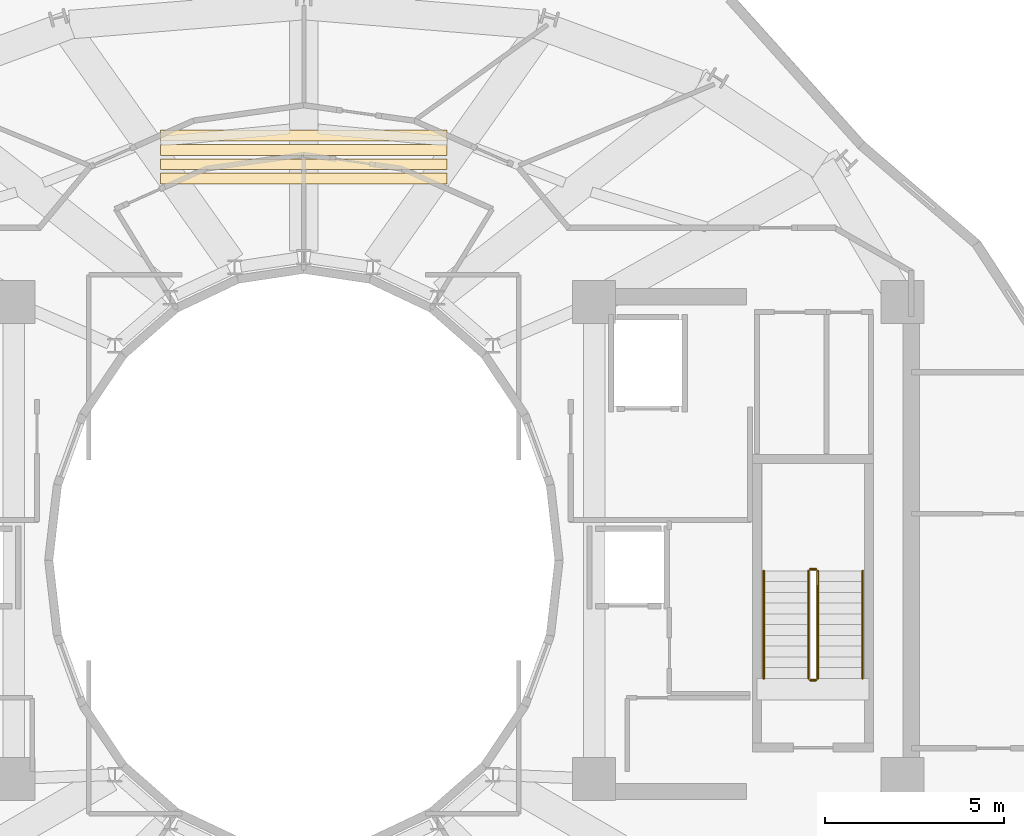
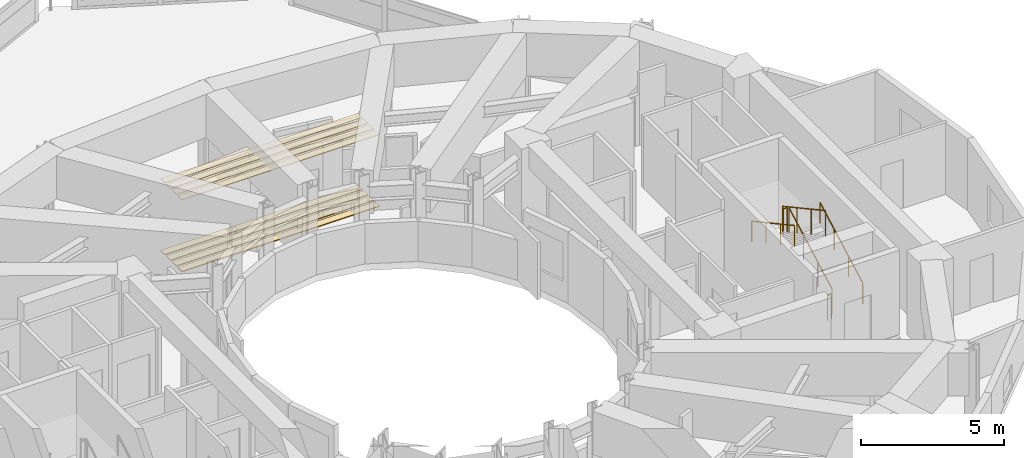
# One storey, part 20 of 21: 8 coverings, 6 railings.
"""IFC4 building model written with IfcOpenShell, lengths in metres."""

from ifc_helpers import new_model, si_unit, direction, frame, origin, origin_2d, place, context, subcontext, project, spatial, polyline, circle, outline, extrude, material, layer, layer_set, type_object, element, save


model = new_model("IFC4")

# Units and contexts
model_context = context("Model", 3, precision=1e-05, world=origin(), true_north=direction((0.0, 1.0)))
body_context = subcontext(model_context, "Body", "Model", "MODEL_VIEW")
ifc_project = project(units=[si_unit("LENGTHUNIT", "METRE"), si_unit("AREAUNIT", "SQUARE_METRE"), si_unit("VOLUMEUNIT", "CUBIC_METRE"), si_unit("PLANEANGLEUNIT", "RADIAN"), si_unit("MASSUNIT", "GRAM", prefix="KILO")], contexts=[model_context])

# Site, building, storey
site_placement = place(None, origin())
site = spatial("IfcSite", under=ifc_project, at=site_placement, CompositionType="ELEMENT")
building_placement = place(site_placement, origin())
building = spatial("IfcBuilding", under=site, at=building_placement, Name="Solvane Sanctuary Tower", CompositionType="ELEMENT")
storey_placement = place(building_placement, frame((0.0, 0.0, 256.800048828125)))
storey = spatial("IfcBuildingStorey", under=building, at=storey_placement, Name="L78", CompositionType="ELEMENT", Elevation=256.800048828125)

# Coverings
ifc_material_1 = material(Name="Acoustic Gypsum Partition Board")
ifc_layer_1 = layer(ifc_material_1, 0.02490234375, Name="Acoustic Gypsum Partition Board")
ifc_layer_set_1 = layer_set([ifc_layer_1], Name="Acoustic Gypsum Partition Board")
covering_type_1 = type_object("IfcCoveringType", Name="Covering CLG-ACOUST", PredefinedType="CEILING", material=ifc_layer_set_1)
covering_1_placement = place(storey_placement, frame((0.0, 0.0, 3.070068359375)))
element("IfcCovering", 1, at=covering_1_placement, inside=storey, type_object=covering_type_1, Name="L78 Sky Dining Acoustic Coffer 1", PredefinedType="CEILING", context=body_context, shape_type="SweptSolid", body=[
    extrude(outline(polyline([(28.0, 33.5), (36.0, 33.5), (36.0, 33.800048828125), (28.0, 33.800048828125), (28.0, 33.5)])), origin(), (0.0, 0.0, 1.0), 0.02978515625),
])
covering_2_placement = place(storey_placement, frame((0.0, 0.0, 3.070068359375)))
element("IfcCovering", 2, at=covering_2_placement, inside=storey, type_object=covering_type_1, Name="L78 Sky Dining Acoustic Coffer 2", PredefinedType="CEILING", context=body_context, shape_type="SweptSolid", body=[
    extrude(outline(polyline([(28.0, 33.89990234375), (36.0, 33.89990234375), (36.0, 34.199951171875), (28.0, 34.199951171875), (28.0, 33.89990234375)])), origin(), (0.0, 0.0, 1.0), 0.02978515625),
])
covering_3_placement = place(storey_placement, frame((0.0, 0.0, 3.070068359375)))
element("IfcCovering", 3, at=covering_3_placement, inside=storey, type_object=covering_type_1, Name="L78 Sky Dining Acoustic Coffer 3", PredefinedType="CEILING", context=body_context, shape_type="SweptSolid", body=[
    extrude(outline(polyline([(28.0, 34.300048828125), (36.0, 34.300048828125), (36.0, 34.60009765625), (28.0, 34.60009765625), (28.0, 34.300048828125)])), origin(), (0.0, 0.0, 1.0), 0.02978515625),
])
covering_4_placement = place(storey_placement, frame((0.0, 0.0, 3.070068359375)))
element("IfcCovering", 4, at=covering_4_placement, inside=storey, type_object=covering_type_1, Name="L78 Sky Dining Acoustic Coffer 4", PredefinedType="CEILING", context=body_context, shape_type="SweptSolid", body=[
    extrude(outline(polyline([(28.0, 34.699951171875), (36.0, 34.699951171875), (36.0, 35.0), (28.0, 35.0), (28.0, 34.699951171875)])), origin(), (0.0, 0.0, 1.0), 0.02978515625),
])
ifc_material_2 = material(Name="Ceramic Tile Finish")
ifc_layer_2 = layer(ifc_material_2, 0.030029296875, Name="Ceramic Tile Finish")
ifc_layer_set_2 = layer_set([ifc_layer_2], Name="Ceramic Tile Finish")
covering_type_2 = type_object("IfcCoveringType", Name="Covering FLR-TERRAZZO", PredefinedType="FLOORING", material=ifc_layer_set_2)
covering_5_placement = place(storey_placement, origin())
element("IfcCovering", 5, at=covering_5_placement, inside=storey, type_object=covering_type_2, Name="L78 Sky Dining Terrazzo Inlay 1", PredefinedType="FLOORING", context=body_context, shape_type="SweptSolid", body=[
    extrude(outline(polyline([(28.0, 33.5), (36.0, 33.5), (36.0, 33.800048828125), (28.0, 33.800048828125), (28.0, 33.5)])), origin(), (0.0, 0.0, 1.0), 0.034912109375),
])
covering_6_placement = place(storey_placement, origin())
element("IfcCovering", 6, at=covering_6_placement, inside=storey, type_object=covering_type_2, Name="L78 Sky Dining Terrazzo Inlay 2", PredefinedType="FLOORING", context=body_context, shape_type="SweptSolid", body=[
    extrude(outline(polyline([(28.0, 33.89990234375), (36.0, 33.89990234375), (36.0, 34.199951171875), (28.0, 34.199951171875), (28.0, 33.89990234375)])), origin(), (0.0, 0.0, 1.0), 0.034912109375),
])
covering_7_placement = place(storey_placement, origin())
element("IfcCovering", 7, at=covering_7_placement, inside=storey, type_object=covering_type_2, Name="L78 Sky Dining Terrazzo Inlay 3", PredefinedType="FLOORING", context=body_context, shape_type="SweptSolid", body=[
    extrude(outline(polyline([(28.0, 34.300048828125), (36.0, 34.300048828125), (36.0, 34.60009765625), (28.0, 34.60009765625), (28.0, 34.300048828125)])), origin(), (0.0, 0.0, 1.0), 0.034912109375),
])
covering_8_placement = place(storey_placement, origin())
element("IfcCovering", 8, at=covering_8_placement, inside=storey, type_object=covering_type_2, Name="L78 Sky Dining Terrazzo Inlay 4", PredefinedType="FLOORING", context=body_context, shape_type="SweptSolid", body=[
    extrude(outline(polyline([(28.0, 34.699951171875), (36.0, 34.699951171875), (36.0, 35.0), (28.0, 35.0), (28.0, 34.699951171875)])), origin(), (0.0, 0.0, 1.0), 0.034912109375),
])

# Railings
ifc_material_3 = material(Name="Architectural Stainless Steel 316", Category="steel")
railing_type_1 = type_object("IfcRailingType", Name="Railing GR-BALC-1150", PredefinedType="BALUSTRADE", material=ifc_material_3)
railing_1_placement = place(storey_placement, frame((46.340087890625, 19.699951171875, 0.16357421875)))
element("IfcRailing", 9, at=railing_1_placement, inside=storey, type_object=railing_type_1, Name="L78 ST-2 stair guard 1", PredefinedType="BALUSTRADE", context=body_context, shape_type="SweptSolid", body=[
    extrude(circle(Radius=0.02392578125, at=origin_2d()), frame((0.0, 0.0, 1.076171875), z_axis=(0.0, 0.877881921179, 0.478877158013), x_axis=(-1.0, 0.0, 0.0)), (0.0, 0.0, 1.0), 3.417236328125),
    extrude(circle(Radius=0.02099609375, at=origin_2d()), origin(), (0.0, 0.0, 1.0), 1.052001953125),
    extrude(circle(Radius=0.02099609375, at=origin_2d()), frame((0.0, 1.0, 0.54541015625)), (0.0, 0.0, 1.0), 1.052001953125),
    extrude(circle(Radius=0.02099609375, at=origin_2d()), frame((0.0, 2.0, 1.091064453125)), (0.0, 0.0, 1.0), 1.052001953125),
    extrude(circle(Radius=0.02099609375, at=origin_2d()), frame((0.0, 3.0, 1.636474609375)), (0.0, 0.0, 1.0), 1.052001953125),
])
railing_2_placement = place(storey_placement, frame((46.2900390625, 22.75, 1.800048828125)))
element("IfcRailing", 10, at=railing_2_placement, inside=storey, type_object=railing_type_1, Name="L78 ST-2 stair guard 2", PredefinedType="BALUSTRADE", context=body_context, shape_type="SweptSolid", body=[
    extrude(circle(Radius=0.02392578125, at=origin_2d()), frame((0.0, 0.0, 1.076171875), z_axis=(-1.0, 0.0, 0.0), x_axis=(0.0, -1.0, 0.0)), (0.0, 0.0, 1.0), 0.16015625),
    extrude(circle(Radius=0.02099609375, at=origin_2d()), origin(), (0.0, 0.0, 1.0), 1.052001953125),
    extrude(circle(Radius=0.02099609375, at=origin_2d()), frame((-0.16015625, 0.0, 0.0)), (0.0, 0.0, 1.0), 1.052001953125),
])
railing_3_placement = place(storey_placement, frame((46.080078125, 22.699951171875, 1.963623046875)))
element("IfcRailing", 11, at=railing_3_placement, inside=storey, type_object=railing_type_1, Name="L78 ST-2 stair guard 3", PredefinedType="BALUSTRADE", context=body_context, shape_type="SweptSolid", body=[
    extrude(circle(Radius=0.02392578125, at=origin_2d()), frame((0.0, 0.0, 1.076171875), z_axis=(0.0, -0.877911954615, 0.47882209634), x_axis=(1.0, 0.0, 0.0)), (0.0, 0.0, 1.0), 3.417236328125),
    extrude(circle(Radius=0.02099609375, at=origin_2d()), origin(), (0.0, 0.0, 1.0), 1.052001953125),
    extrude(circle(Radius=0.02099609375, at=origin_2d()), frame((0.0, -1.0, 0.54541015625)), (0.0, 0.0, 1.0), 1.052001953125),
    extrude(circle(Radius=0.02099609375, at=origin_2d()), frame((0.0, -2.0, 1.0908203125)), (0.0, 0.0, 1.0), 1.052001953125),
    extrude(circle(Radius=0.02099609375, at=origin_2d()), frame((0.0, -3.0, 1.63623046875)), (0.0, 0.0, 1.0), 1.052001953125),
])
railing_4_placement = place(storey_placement, frame((46.2900390625, 19.64990234375, 0.0)))
element("IfcRailing", 12, at=railing_4_placement, inside=storey, type_object=railing_type_1, Name="L78 ST-2 stair guard 4", PredefinedType="BALUSTRADE", context=body_context, shape_type="SweptSolid", body=[
    extrude(circle(Radius=0.02392578125, at=origin_2d()), frame((0.0, 0.0, 1.076171875), z_axis=(-1.0, 0.0, 0.0), x_axis=(0.0, -1.0, 0.0)), (0.0, 0.0, 1.0), 0.16015625),
    extrude(circle(Radius=0.02099609375, at=origin_2d()), origin(), (0.0, 0.0, 1.0), 1.052001953125),
    extrude(circle(Radius=0.02099609375, at=origin_2d()), frame((-0.16015625, 0.0, 0.0)), (0.0, 0.0, 1.0), 1.052001953125),
])
railing_type_2 = type_object("IfcRailingType", Name="Railing HR-STAIR-920", PredefinedType="HANDRAIL", material=ifc_material_3)
railing_5_placement = place(storey_placement, frame((47.590087890625, 19.699951171875, 0.16357421875)))
element("IfcRailing", 13, at=railing_5_placement, inside=storey, type_object=railing_type_2, Name="L78 ST-2 stair handrail 1", PredefinedType="HANDRAIL", context=body_context, shape_type="SweptSolid", body=[
    extrude(circle(Radius=0.02392578125, at=origin_2d()), frame((0.0, 0.0, 0.8759765625), z_axis=(0.0, 0.877881921179, 0.478877158013), x_axis=(-1.0, 0.0, 0.0)), (0.0, 0.0, 1.0), 3.417236328125),
    extrude(circle(Radius=0.02099609375, at=origin_2d()), origin(), (0.0, 0.0, 1.0), 0.851806640625),
    extrude(circle(Radius=0.02099609375, at=origin_2d()), frame((0.0, 1.0, 0.54541015625)), (0.0, 0.0, 1.0), 0.851806640625),
    extrude(circle(Radius=0.02099609375, at=origin_2d()), frame((0.0, 2.0, 1.091064453125)), (0.0, 0.0, 1.0), 0.851806640625),
    extrude(circle(Radius=0.02099609375, at=origin_2d()), frame((0.0, 3.0, 1.636474609375)), (0.0, 0.0, 1.0), 0.851806640625),
])
railing_6_placement = place(storey_placement, frame((44.830078125, 22.699951171875, 1.963623046875)))
element("IfcRailing", 14, at=railing_6_placement, inside=storey, type_object=railing_type_2, Name="L78 ST-2 stair handrail 2", PredefinedType="HANDRAIL", context=body_context, shape_type="SweptSolid", body=[
    extrude(circle(Radius=0.02392578125, at=origin_2d()), frame((0.0, 0.0, 0.8759765625), z_axis=(0.0, -0.877911954615, 0.47882209634), x_axis=(1.0, 0.0, 0.0)), (0.0, 0.0, 1.0), 3.417236328125),
    extrude(circle(Radius=0.02099609375, at=origin_2d()), origin(), (0.0, 0.0, 1.0), 0.851806640625),
    extrude(circle(Radius=0.02099609375, at=origin_2d()), frame((0.0, -1.0, 0.54541015625)), (0.0, 0.0, 1.0), 0.851806640625),
    extrude(circle(Radius=0.02099609375, at=origin_2d()), frame((0.0, -2.0, 1.0908203125)), (0.0, 0.0, 1.0), 0.851806640625),
    extrude(circle(Radius=0.02099609375, at=origin_2d()), frame((0.0, -3.0, 1.63623046875)), (0.0, 0.0, 1.0), 0.851806640625),
])

save(model, "model.ifc")
